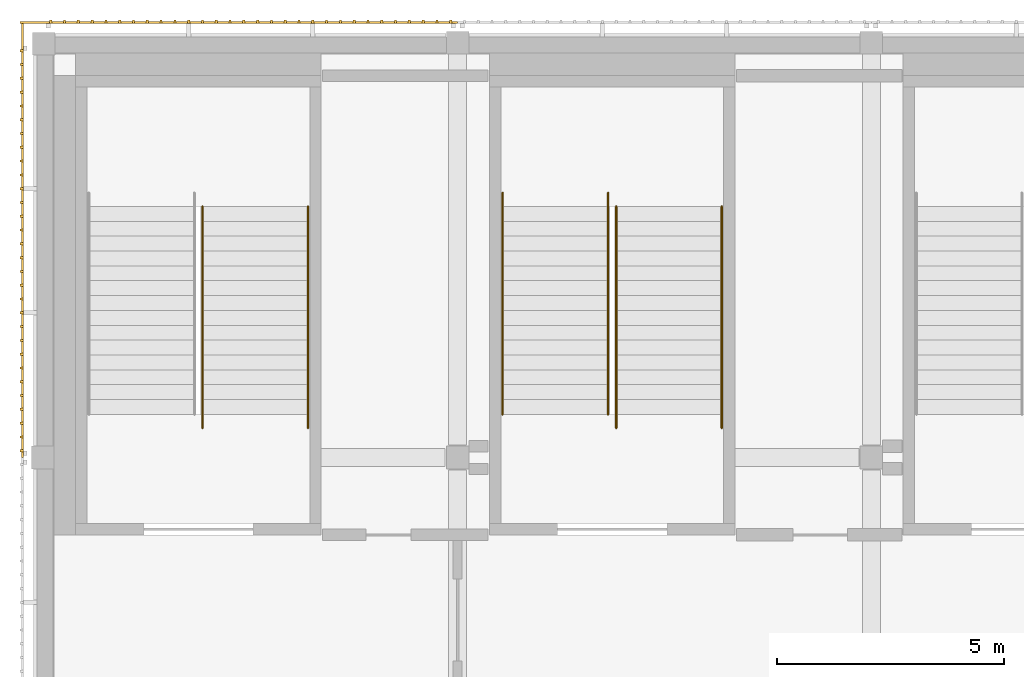
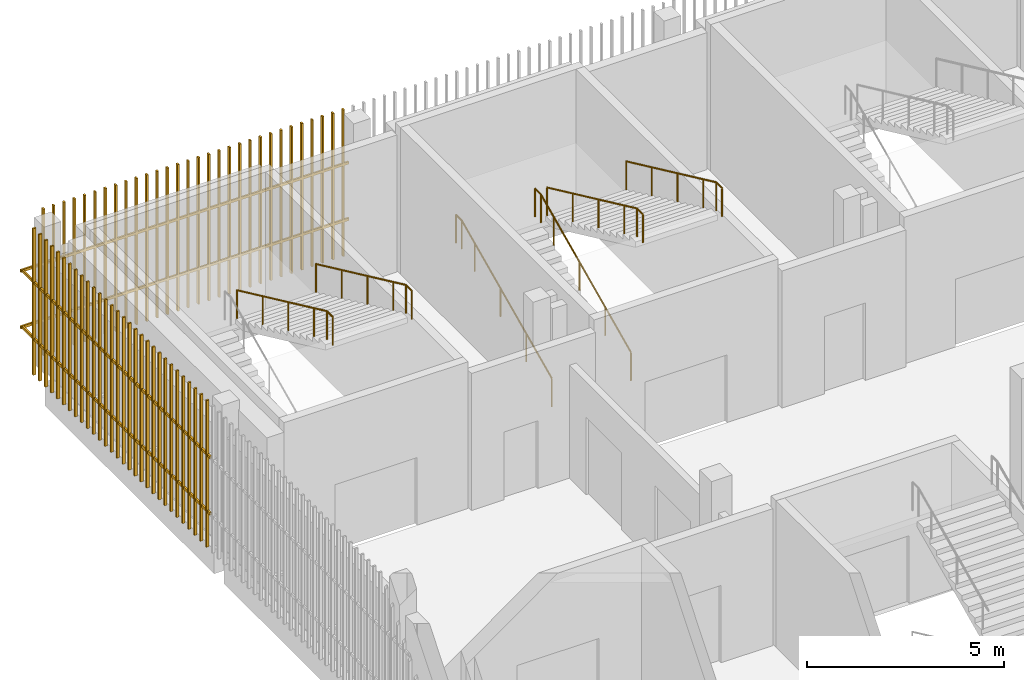
# One storey, part 111 of 124: 6 railings, 2 shading devices.
"""IFC4 building model written with IfcOpenShell, lengths in metres."""

from ifc_helpers import new_model, si_unit, direction, frame, origin, origin_2d, place, context, subcontext, project, spatial, rectangle, circle, extrude, material, type_object, element, save


model = new_model("IFC4")

# Units and contexts
model_context = context("Model", 3, precision=1e-05, world=origin(), true_north=direction((0.0, 1.0)))
body_context = subcontext(model_context, "Body", "Model", "MODEL_VIEW")
ifc_project = project(units=[si_unit("LENGTHUNIT", "METRE"), si_unit("AREAUNIT", "SQUARE_METRE"), si_unit("VOLUMEUNIT", "CUBIC_METRE"), si_unit("PLANEANGLEUNIT", "RADIAN"), si_unit("MASSUNIT", "GRAM", prefix="KILO")], contexts=[model_context])

# Site, building, storey
site_placement = place(None, origin())
site = spatial("IfcSite", under=ifc_project, at=site_placement, CompositionType="ELEMENT")
building_placement = place(site_placement, origin())
building = spatial("IfcBuilding", under=site, at=building_placement, Name="Shirokan Park Arena", CompositionType="ELEMENT")
storey_placement = place(building_placement, frame((0.0, 0.0, 20.02001953125)))
storey = spatial("IfcBuildingStorey", under=building, at=storey_placement, Name="L04", CompositionType="ELEMENT", Elevation=20.02001953125)

# Railings
ifc_material_1 = material(Name="Stainless steel", Category="steel")
railing_type = type_object("IfcRailingType", Name="Stair handrail 900", PredefinedType="HANDRAIL", material=ifc_material_1)
railing_1_placement = place(storey_placement, frame((3.489990234375, 105.623779296875, 2.4267578125)))
element("IfcRailing", 1, at=railing_1_placement, inside=storey, type_object=railing_type, Name="Handrail Exit Stair 4.A L04 to L05", PredefinedType="HANDRAIL", context=body_context, shape_type="SweptSolid", body=[
    extrude(circle(Radius=0.02392578125, at=origin_2d()), frame((0.0, 0.0, 0.8759765625), z_axis=(0.0, -0.907094476872, 0.420927083981), x_axis=(1.0, 0.0, 0.0)), (0.0, 0.0, 1.0), 1.440673828125),
    extrude(circle(Radius=0.02392578125, at=origin_2d()), frame((0.0, -1.306884765625, 1.482421875), z_axis=(0.0, -0.906999720516, 0.421131222998), x_axis=(1.0, 0.0, 0.0)), (0.0, 0.0, 1.0), 1.440673828125),
    extrude(circle(Radius=0.02392578125, at=origin_2d()), frame((0.0, -2.613525390625, 2.0888671875), z_axis=(0.0, -0.907029769225, 0.421066500378), x_axis=(1.0, 0.0, 0.0)), (0.0, 0.0, 1.0), 1.44091796875),
    extrude(circle(Radius=0.02392578125, at=origin_2d()), frame((0.0, -3.92041015625, 2.69580078125), z_axis=(0.0, -0.906934982928, 0.421270621741), x_axis=(1.0, 0.0, 0.0)), (0.0, 0.0, 1.0), 0.720458984375),
    extrude(circle(Radius=0.02392578125, at=origin_2d()), frame((0.0, -4.57373046875, 2.9990234375), z_axis=(0.0, -1.0, 0.0), x_axis=(1.0, 0.0, 0.0)), (0.0, 0.0, 1.0), 0.300048828125),
    extrude(circle(Radius=0.02099609375, at=origin_2d()), origin(), (0.0, 0.0, 1.0), 0.851806640625),
    extrude(circle(Radius=0.02099609375, at=origin_2d()), frame((0.0, -1.306884765625, 0.6064453125)), (0.0, 0.0, 1.0), 0.851806640625),
    extrude(circle(Radius=0.02099609375, at=origin_2d()), frame((0.0, -2.613525390625, 1.213134765625)), (0.0, 0.0, 1.0), 0.851806640625),
    extrude(circle(Radius=0.02099609375, at=origin_2d()), frame((0.0, -3.92041015625, 1.81982421875)), (0.0, 0.0, 1.0), 0.851806640625),
    extrude(circle(Radius=0.02099609375, at=origin_2d()), frame((0.0, -4.57373046875, 2.123291015625)), (0.0, 0.0, 1.0), 0.851806640625),
    extrude(circle(Radius=0.02099609375, at=origin_2d()), frame((0.0, -4.873779296875, 2.123291015625)), (0.0, 0.0, 1.0), 0.851806640625),
])
railing_2_placement = place(storey_placement, frame((5.81005859375, 105.623779296875, 2.4267578125)))
element("IfcRailing", 2, at=railing_2_placement, inside=storey, type_object=railing_type, Name="Handrail Exit Stair 4.A L04 to L05", PredefinedType="HANDRAIL", context=body_context, shape_type="SweptSolid", body=[
    extrude(circle(Radius=0.02392578125, at=origin_2d()), frame((0.0, 0.0, 0.8759765625), z_axis=(0.0, -0.907094476872, 0.420927083981), x_axis=(1.0, 0.0, 0.0)), (0.0, 0.0, 1.0), 1.440673828125),
    extrude(circle(Radius=0.02392578125, at=origin_2d()), frame((0.0, -1.306884765625, 1.482421875), z_axis=(0.0, -0.906999720516, 0.421131222998), x_axis=(1.0, 0.0, 0.0)), (0.0, 0.0, 1.0), 1.440673828125),
    extrude(circle(Radius=0.02392578125, at=origin_2d()), frame((0.0, -2.613525390625, 2.0888671875), z_axis=(0.0, -0.907029769225, 0.421066500378), x_axis=(1.0, 0.0, 0.0)), (0.0, 0.0, 1.0), 1.44091796875),
    extrude(circle(Radius=0.02392578125, at=origin_2d()), frame((0.0, -3.92041015625, 2.69580078125), z_axis=(0.0, -0.906934982928, 0.421270621741), x_axis=(1.0, 0.0, 0.0)), (0.0, 0.0, 1.0), 0.720458984375),
    extrude(circle(Radius=0.02392578125, at=origin_2d()), frame((0.0, -4.57373046875, 2.9990234375), z_axis=(0.0, -1.0, 0.0), x_axis=(1.0, 0.0, 0.0)), (0.0, 0.0, 1.0), 0.300048828125),
    extrude(circle(Radius=0.02099609375, at=origin_2d()), origin(), (0.0, 0.0, 1.0), 0.851806640625),
    extrude(circle(Radius=0.02099609375, at=origin_2d()), frame((0.0, -1.306884765625, 0.6064453125)), (0.0, 0.0, 1.0), 0.851806640625),
    extrude(circle(Radius=0.02099609375, at=origin_2d()), frame((0.0, -2.613525390625, 1.213134765625)), (0.0, 0.0, 1.0), 0.851806640625),
    extrude(circle(Radius=0.02099609375, at=origin_2d()), frame((0.0, -3.92041015625, 1.81982421875)), (0.0, 0.0, 1.0), 0.851806640625),
    extrude(circle(Radius=0.02099609375, at=origin_2d()), frame((0.0, -4.57373046875, 2.123291015625)), (0.0, 0.0, 1.0), 0.851806640625),
    extrude(circle(Radius=0.02099609375, at=origin_2d()), frame((0.0, -4.873779296875, 2.123291015625)), (0.0, 0.0, 1.0), 0.851806640625),
])
railing_3_placement = place(storey_placement, frame((10.090087890625, 101.050048828125, 0.151611328125)))
element("IfcRailing", 3, at=railing_3_placement, inside=storey, type_object=railing_type, Name="Handrail Exit Stair 4.B L04 to L05", PredefinedType="HANDRAIL", context=body_context, shape_type="SweptSolid", body=[
    extrude(circle(Radius=0.02392578125, at=origin_2d()), frame((0.0, 0.0, 0.8759765625), z_axis=(0.0, 0.906999720516, 0.421131222998), x_axis=(-1.0, 0.0, 0.0)), (0.0, 0.0, 1.0), 1.440673828125),
    extrude(circle(Radius=0.02392578125, at=origin_2d()), frame((0.0, 1.306640625, 1.482421875), z_axis=(0.0, 0.907029769225, 0.421066500378), x_axis=(-1.0, 0.0, 0.0)), (0.0, 0.0, 1.0), 1.44091796875),
    extrude(circle(Radius=0.02392578125, at=origin_2d()), frame((0.0, 2.613525390625, 2.08935546875), z_axis=(0.0, 0.907029769225, 0.421066500378), x_axis=(-1.0, 0.0, 0.0)), (0.0, 0.0, 1.0), 1.44091796875),
    extrude(circle(Radius=0.02392578125, at=origin_2d()), frame((0.0, 3.92041015625, 2.69580078125), z_axis=(0.0, 0.907064445915, 0.420991794405), x_axis=(-1.0, 0.0, 0.0)), (0.0, 0.0, 1.0), 0.72021484375),
    extrude(circle(Radius=0.02392578125, at=origin_2d()), frame((0.0, 4.57373046875, 2.9990234375), z_axis=(0.0, 1.0, 0.0), x_axis=(-1.0, 0.0, 0.0)), (0.0, 0.0, 1.0), 0.300048828125),
    extrude(circle(Radius=0.02099609375, at=origin_2d()), origin(), (0.0, 0.0, 1.0), 0.851806640625),
    extrude(circle(Radius=0.02099609375, at=origin_2d()), frame((0.0, 1.306640625, 0.606689453125)), (0.0, 0.0, 1.0), 0.851806640625),
    extrude(circle(Radius=0.02099609375, at=origin_2d()), frame((0.0, 2.613525390625, 1.21337890625)), (0.0, 0.0, 1.0), 0.851806640625),
    extrude(circle(Radius=0.02099609375, at=origin_2d()), frame((0.0, 3.92041015625, 1.820068359375)), (0.0, 0.0, 1.0), 0.851806640625),
    extrude(circle(Radius=0.02099609375, at=origin_2d()), frame((0.0, 4.57373046875, 2.123291015625)), (0.0, 0.0, 1.0), 0.851806640625),
    extrude(circle(Radius=0.02099609375, at=origin_2d()), frame((0.0, 4.873779296875, 2.123291015625)), (0.0, 0.0, 1.0), 0.851806640625),
])
railing_4_placement = place(storey_placement, frame((12.409912109375, 101.050048828125, 0.151611328125)))
element("IfcRailing", 4, at=railing_4_placement, inside=storey, type_object=railing_type, Name="Handrail Exit Stair 4.B L04 to L05", PredefinedType="HANDRAIL", context=body_context, shape_type="SweptSolid", body=[
    extrude(circle(Radius=0.02392578125, at=origin_2d()), frame((0.0, 0.0, 0.8759765625), z_axis=(0.0, 0.906999720516, 0.421131222998), x_axis=(-1.0, 0.0, 0.0)), (0.0, 0.0, 1.0), 1.440673828125),
    extrude(circle(Radius=0.02392578125, at=origin_2d()), frame((0.0, 1.306640625, 1.482421875), z_axis=(0.0, 0.907029769225, 0.421066500378), x_axis=(-1.0, 0.0, 0.0)), (0.0, 0.0, 1.0), 1.44091796875),
    extrude(circle(Radius=0.02392578125, at=origin_2d()), frame((0.0, 2.613525390625, 2.08935546875), z_axis=(0.0, 0.907029769225, 0.421066500378), x_axis=(-1.0, 0.0, 0.0)), (0.0, 0.0, 1.0), 1.44091796875),
    extrude(circle(Radius=0.02392578125, at=origin_2d()), frame((0.0, 3.92041015625, 2.69580078125), z_axis=(0.0, 0.907064445915, 0.420991794405), x_axis=(-1.0, 0.0, 0.0)), (0.0, 0.0, 1.0), 0.72021484375),
    extrude(circle(Radius=0.02392578125, at=origin_2d()), frame((0.0, 4.57373046875, 2.9990234375), z_axis=(0.0, 1.0, 0.0), x_axis=(-1.0, 0.0, 0.0)), (0.0, 0.0, 1.0), 0.300048828125),
    extrude(circle(Radius=0.02099609375, at=origin_2d()), origin(), (0.0, 0.0, 1.0), 0.851806640625),
    extrude(circle(Radius=0.02099609375, at=origin_2d()), frame((0.0, 1.306640625, 0.606689453125)), (0.0, 0.0, 1.0), 0.851806640625),
    extrude(circle(Radius=0.02099609375, at=origin_2d()), frame((0.0, 2.613525390625, 1.21337890625)), (0.0, 0.0, 1.0), 0.851806640625),
    extrude(circle(Radius=0.02099609375, at=origin_2d()), frame((0.0, 3.92041015625, 1.820068359375)), (0.0, 0.0, 1.0), 0.851806640625),
    extrude(circle(Radius=0.02099609375, at=origin_2d()), frame((0.0, 4.57373046875, 2.123291015625)), (0.0, 0.0, 1.0), 0.851806640625),
    extrude(circle(Radius=0.02099609375, at=origin_2d()), frame((0.0, 4.873779296875, 2.123291015625)), (0.0, 0.0, 1.0), 0.851806640625),
])
railing_5_placement = place(storey_placement, frame((12.590087890625, 105.623779296875, 2.4267578125)))
element("IfcRailing", 5, at=railing_5_placement, inside=storey, type_object=railing_type, Name="Handrail Exit Stair 4.B L04 to L05", PredefinedType="HANDRAIL", context=body_context, shape_type="SweptSolid", body=[
    extrude(circle(Radius=0.02392578125, at=origin_2d()), frame((0.0, 0.0, 0.8759765625), z_axis=(0.0, -0.907094476872, 0.420927083981), x_axis=(1.0, 0.0, 0.0)), (0.0, 0.0, 1.0), 1.440673828125),
    extrude(circle(Radius=0.02392578125, at=origin_2d()), frame((0.0, -1.306884765625, 1.482421875), z_axis=(0.0, -0.906999720516, 0.421131222998), x_axis=(1.0, 0.0, 0.0)), (0.0, 0.0, 1.0), 1.440673828125),
    extrude(circle(Radius=0.02392578125, at=origin_2d()), frame((0.0, -2.613525390625, 2.0888671875), z_axis=(0.0, -0.907029769225, 0.421066500378), x_axis=(1.0, 0.0, 0.0)), (0.0, 0.0, 1.0), 1.44091796875),
    extrude(circle(Radius=0.02392578125, at=origin_2d()), frame((0.0, -3.92041015625, 2.69580078125), z_axis=(0.0, -0.906934982928, 0.421270621741), x_axis=(1.0, 0.0, 0.0)), (0.0, 0.0, 1.0), 0.720458984375),
    extrude(circle(Radius=0.02392578125, at=origin_2d()), frame((0.0, -4.57373046875, 2.9990234375), z_axis=(0.0, -1.0, 0.0), x_axis=(1.0, 0.0, 0.0)), (0.0, 0.0, 1.0), 0.300048828125),
    extrude(circle(Radius=0.02099609375, at=origin_2d()), origin(), (0.0, 0.0, 1.0), 0.851806640625),
    extrude(circle(Radius=0.02099609375, at=origin_2d()), frame((0.0, -1.306884765625, 0.6064453125)), (0.0, 0.0, 1.0), 0.851806640625),
    extrude(circle(Radius=0.02099609375, at=origin_2d()), frame((0.0, -2.613525390625, 1.213134765625)), (0.0, 0.0, 1.0), 0.851806640625),
    extrude(circle(Radius=0.02099609375, at=origin_2d()), frame((0.0, -3.92041015625, 1.81982421875)), (0.0, 0.0, 1.0), 0.851806640625),
    extrude(circle(Radius=0.02099609375, at=origin_2d()), frame((0.0, -4.57373046875, 2.123291015625)), (0.0, 0.0, 1.0), 0.851806640625),
    extrude(circle(Radius=0.02099609375, at=origin_2d()), frame((0.0, -4.873779296875, 2.123291015625)), (0.0, 0.0, 1.0), 0.851806640625),
])
railing_6_placement = place(storey_placement, frame((14.909912109375, 105.623779296875, 2.4267578125)))
element("IfcRailing", 6, at=railing_6_placement, inside=storey, type_object=railing_type, Name="Handrail Exit Stair 4.B L04 to L05", PredefinedType="HANDRAIL", context=body_context, shape_type="SweptSolid", body=[
    extrude(circle(Radius=0.02392578125, at=origin_2d()), frame((0.0, 0.0, 0.8759765625), z_axis=(0.0, -0.907094476872, 0.420927083981), x_axis=(1.0, 0.0, 0.0)), (0.0, 0.0, 1.0), 1.440673828125),
    extrude(circle(Radius=0.02392578125, at=origin_2d()), frame((0.0, -1.306884765625, 1.482421875), z_axis=(0.0, -0.906999720516, 0.421131222998), x_axis=(1.0, 0.0, 0.0)), (0.0, 0.0, 1.0), 1.440673828125),
    extrude(circle(Radius=0.02392578125, at=origin_2d()), frame((0.0, -2.613525390625, 2.0888671875), z_axis=(0.0, -0.907029769225, 0.421066500378), x_axis=(1.0, 0.0, 0.0)), (0.0, 0.0, 1.0), 1.44091796875),
    extrude(circle(Radius=0.02392578125, at=origin_2d()), frame((0.0, -3.92041015625, 2.69580078125), z_axis=(0.0, -0.906934982928, 0.421270621741), x_axis=(1.0, 0.0, 0.0)), (0.0, 0.0, 1.0), 0.720458984375),
    extrude(circle(Radius=0.02392578125, at=origin_2d()), frame((0.0, -4.57373046875, 2.9990234375), z_axis=(0.0, -1.0, 0.0), x_axis=(1.0, 0.0, 0.0)), (0.0, 0.0, 1.0), 0.300048828125),
    extrude(circle(Radius=0.02099609375, at=origin_2d()), origin(), (0.0, 0.0, 1.0), 0.851806640625),
    extrude(circle(Radius=0.02099609375, at=origin_2d()), frame((0.0, -1.306884765625, 0.6064453125)), (0.0, 0.0, 1.0), 0.851806640625),
    extrude(circle(Radius=0.02099609375, at=origin_2d()), frame((0.0, -2.613525390625, 1.213134765625)), (0.0, 0.0, 1.0), 0.851806640625),
    extrude(circle(Radius=0.02099609375, at=origin_2d()), frame((0.0, -3.92041015625, 1.81982421875)), (0.0, 0.0, 1.0), 0.851806640625),
    extrude(circle(Radius=0.02099609375, at=origin_2d()), frame((0.0, -4.57373046875, 2.123291015625)), (0.0, 0.0, 1.0), 0.851806640625),
    extrude(circle(Radius=0.02099609375, at=origin_2d()), frame((0.0, -4.873779296875, 2.123291015625)), (0.0, 0.0, 1.0), 0.851806640625),
])

# Shading devices
ifc_material_2 = material(Name="Timber louvre veil (cedar)", Category="wood")
shading_device_type = type_object("IfcShadingDeviceType", Name="Timber louvre veil panel", PredefinedType="JALOUSIE", material=ifc_material_2)
shading_device_1_placement = place(storey_placement, origin())
element("IfcShadingDevice", 7, at=shading_device_1_placement, inside=storey, type_object=shading_device_type, Name="Timber louvre veil north bay 16 L04", PredefinedType="JALOUSIE", context=body_context, shape_type="SweptSolid", body=[
    extrude(rectangle(XDim=0.050048828125, YDim=0.080078125, at=origin_2d()), frame((8.9482421875, 109.68505859375, 0.0), z_axis=(0.0, 0.0, 1.0), x_axis=(-1.0, 0.0, 0.0)), (0.0, 0.0, 1.0), 4.550048828125),
    extrude(rectangle(XDim=0.050048828125, YDim=0.080078125, at=origin_2d()), frame((8.64501953125, 109.68505859375, 0.0), z_axis=(0.0, 0.0, 1.0), x_axis=(-1.0, 0.0, 0.0)), (0.0, 0.0, 1.0), 4.550048828125),
    extrude(rectangle(XDim=0.050048828125, YDim=0.080078125, at=origin_2d()), frame((8.341552734375, 109.68505859375, 0.0), z_axis=(0.0, 0.0, 1.0), x_axis=(-1.0, 0.0, 0.0)), (0.0, 0.0, 1.0), 4.550048828125),
    extrude(rectangle(XDim=0.050048828125, YDim=0.080078125, at=origin_2d()), frame((8.038330078125, 109.68505859375, 0.0), z_axis=(0.0, 0.0, 1.0), x_axis=(-1.0, 0.0, 0.0)), (0.0, 0.0, 1.0), 4.550048828125),
    extrude(rectangle(XDim=0.050048828125, YDim=0.080078125, at=origin_2d()), frame((7.735107421875, 109.68505859375, 0.0), z_axis=(0.0, 0.0, 1.0), x_axis=(-1.0, 0.0, 0.0)), (0.0, 0.0, 1.0), 4.550048828125),
    extrude(rectangle(XDim=0.050048828125, YDim=0.080078125, at=origin_2d()), frame((7.431640625, 109.68505859375, 0.0), z_axis=(0.0, 0.0, 1.0), x_axis=(-1.0, 0.0, 0.0)), (0.0, 0.0, 1.0), 4.550048828125),
    extrude(rectangle(XDim=0.050048828125, YDim=0.080078125, at=origin_2d()), frame((7.12841796875, 109.68505859375, 0.0), z_axis=(0.0, 0.0, 1.0), x_axis=(-1.0, 0.0, 0.0)), (0.0, 0.0, 1.0), 4.550048828125),
    extrude(rectangle(XDim=0.050048828125, YDim=0.080078125, at=origin_2d()), frame((6.824951171875, 109.68505859375, 0.0), z_axis=(0.0, 0.0, 1.0), x_axis=(-1.0, 0.0, 0.0)), (0.0, 0.0, 1.0), 4.550048828125),
    extrude(rectangle(XDim=0.050048828125, YDim=0.080078125, at=origin_2d()), frame((6.521728515625, 109.68505859375, 0.0), z_axis=(0.0, 0.0, 1.0), x_axis=(-1.0, 0.0, 0.0)), (0.0, 0.0, 1.0), 4.550048828125),
    extrude(rectangle(XDim=0.050048828125, YDim=0.080078125, at=origin_2d()), frame((6.21826171875, 109.68505859375, 0.0), z_axis=(0.0, 0.0, 1.0), x_axis=(-1.0, 0.0, 0.0)), (0.0, 0.0, 1.0), 4.550048828125),
    extrude(rectangle(XDim=0.050048828125, YDim=0.080078125, at=origin_2d()), frame((5.9150390625, 109.68505859375, 0.0), z_axis=(0.0, 0.0, 1.0), x_axis=(-1.0, 0.0, 0.0)), (0.0, 0.0, 1.0), 4.550048828125),
    extrude(rectangle(XDim=0.050048828125, YDim=0.080078125, at=origin_2d()), frame((5.611572265625, 109.68505859375, 0.0), z_axis=(0.0, 0.0, 1.0), x_axis=(-1.0, 0.0, 0.0)), (0.0, 0.0, 1.0), 4.550048828125),
    extrude(rectangle(XDim=0.050048828125, YDim=0.080078125, at=origin_2d()), frame((5.308349609375, 109.68505859375, 0.0), z_axis=(0.0, 0.0, 1.0), x_axis=(-1.0, 0.0, 0.0)), (0.0, 0.0, 1.0), 4.550048828125),
    extrude(rectangle(XDim=0.050048828125, YDim=0.080078125, at=origin_2d()), frame((5.0048828125, 109.68505859375, 0.0), z_axis=(0.0, 0.0, 1.0), x_axis=(-1.0, 0.0, 0.0)), (0.0, 0.0, 1.0), 4.550048828125),
    extrude(rectangle(XDim=0.050048828125, YDim=0.080078125, at=origin_2d()), frame((4.70166015625, 109.68505859375, 0.0), z_axis=(0.0, 0.0, 1.0), x_axis=(-1.0, 0.0, 0.0)), (0.0, 0.0, 1.0), 4.550048828125),
    extrude(rectangle(XDim=0.050048828125, YDim=0.080078125, at=origin_2d()), frame((4.3984375, 109.68505859375, 0.0), z_axis=(0.0, 0.0, 1.0), x_axis=(-1.0, 0.0, 0.0)), (0.0, 0.0, 1.0), 4.550048828125),
    extrude(rectangle(XDim=0.050048828125, YDim=0.080078125, at=origin_2d()), frame((4.094970703125, 109.68505859375, 0.0), z_axis=(0.0, 0.0, 1.0), x_axis=(-1.0, 0.0, 0.0)), (0.0, 0.0, 1.0), 4.550048828125),
    extrude(rectangle(XDim=0.050048828125, YDim=0.080078125, at=origin_2d()), frame((3.791748046875, 109.68505859375, 0.0), z_axis=(0.0, 0.0, 1.0), x_axis=(-1.0, 0.0, 0.0)), (0.0, 0.0, 1.0), 4.550048828125),
    extrude(rectangle(XDim=0.050048828125, YDim=0.080078125, at=origin_2d()), frame((3.48828125, 109.68505859375, 0.0), z_axis=(0.0, 0.0, 1.0), x_axis=(-1.0, 0.0, 0.0)), (0.0, 0.0, 1.0), 4.550048828125),
    extrude(rectangle(XDim=0.050048828125, YDim=0.080078125, at=origin_2d()), frame((3.18505859375, 109.68505859375, 0.0), z_axis=(0.0, 0.0, 1.0), x_axis=(-1.0, 0.0, 0.0)), (0.0, 0.0, 1.0), 4.550048828125),
    extrude(rectangle(XDim=0.050048828125, YDim=0.080078125, at=origin_2d()), frame((2.881591796875, 109.68505859375, 0.0), z_axis=(0.0, 0.0, 1.0), x_axis=(-1.0, 0.0, 0.0)), (0.0, 0.0, 1.0), 4.550048828125),
    extrude(rectangle(XDim=0.050048828125, YDim=0.080078125, at=origin_2d()), frame((2.578369140625, 109.68505859375, 0.0), z_axis=(0.0, 0.0, 1.0), x_axis=(-1.0, 0.0, 0.0)), (0.0, 0.0, 1.0), 4.550048828125),
    extrude(rectangle(XDim=0.050048828125, YDim=0.080078125, at=origin_2d()), frame((2.27490234375, 109.68505859375, 0.0), z_axis=(0.0, 0.0, 1.0), x_axis=(-1.0, 0.0, 0.0)), (0.0, 0.0, 1.0), 4.550048828125),
    extrude(rectangle(XDim=0.050048828125, YDim=0.080078125, at=origin_2d()), frame((1.9716796875, 109.68505859375, 0.0), z_axis=(0.0, 0.0, 1.0), x_axis=(-1.0, 0.0, 0.0)), (0.0, 0.0, 1.0), 4.550048828125),
    extrude(rectangle(XDim=0.050048828125, YDim=0.080078125, at=origin_2d()), frame((1.668212890625, 109.68505859375, 0.0), z_axis=(0.0, 0.0, 1.0), x_axis=(-1.0, 0.0, 0.0)), (0.0, 0.0, 1.0), 4.550048828125),
    extrude(rectangle(XDim=0.050048828125, YDim=0.080078125, at=origin_2d()), frame((1.364990234375, 109.68505859375, 0.0), z_axis=(0.0, 0.0, 1.0), x_axis=(-1.0, 0.0, 0.0)), (0.0, 0.0, 1.0), 4.550048828125),
    extrude(rectangle(XDim=0.050048828125, YDim=0.080078125, at=origin_2d()), frame((1.061767578125, 109.68505859375, 0.0), z_axis=(0.0, 0.0, 1.0), x_axis=(-1.0, 0.0, 0.0)), (0.0, 0.0, 1.0), 4.550048828125),
    extrude(rectangle(XDim=0.050048828125, YDim=0.080078125, at=origin_2d()), frame((0.75830078125, 109.68505859375, 0.0), z_axis=(0.0, 0.0, 1.0), x_axis=(-1.0, 0.0, 0.0)), (0.0, 0.0, 1.0), 4.550048828125),
    extrude(rectangle(XDim=0.050048828125, YDim=0.080078125, at=origin_2d()), frame((0.455078125, 109.68505859375, 0.0), z_axis=(0.0, 0.0, 1.0), x_axis=(-1.0, 0.0, 0.0)), (0.0, 0.0, 1.0), 4.550048828125),
    extrude(rectangle(XDim=0.050048828125, YDim=0.080078125, at=origin_2d()), frame((0.151611328125, 109.68505859375, 0.0), z_axis=(0.0, 0.0, 1.0), x_axis=(-1.0, 0.0, 0.0)), (0.0, 0.0, 1.0), 4.550048828125),
    extrude(rectangle(XDim=9.625, YDim=0.050048828125, at=origin_2d()), frame((4.28759765625, 109.669921875, 1.06005859375), z_axis=(0.0, 0.0, 1.0), x_axis=(-1.0, 0.0, 0.0)), (0.0, 0.0, 1.0), 0.080078125),
    extrude(rectangle(XDim=9.625, YDim=0.050048828125, at=origin_2d()), frame((4.28759765625, 109.669921875, 2.81005859375), z_axis=(0.0, 0.0, 1.0), x_axis=(-1.0, 0.0, 0.0)), (0.0, 0.0, 1.0), 0.080078125),
])
shading_device_2_placement = place(storey_placement, origin())
element("IfcShadingDevice", 8, at=shading_device_2_placement, inside=storey, type_object=shading_device_type, Name="Timber louvre veil west bay 1 L04", PredefinedType="JALOUSIE", context=body_context, shape_type="SweptSolid", body=[
    extrude(rectangle(XDim=0.050048828125, YDim=0.080078125, at=origin_2d()), frame((-0.485107421875, 109.04833984375, 0.0), z_axis=(0.0, 0.0, 1.0), x_axis=(0.0, -1.0, 0.0)), (0.0, 0.0, 1.0), 4.550048828125),
    extrude(rectangle(XDim=0.050048828125, YDim=0.080078125, at=origin_2d()), frame((-0.485107421875, 108.7451171875, 0.0), z_axis=(0.0, 0.0, 1.0), x_axis=(0.0, -1.0, 0.0)), (0.0, 0.0, 1.0), 4.550048828125),
    extrude(rectangle(XDim=0.050048828125, YDim=0.080078125, at=origin_2d()), frame((-0.485107421875, 108.441650390625, 0.0), z_axis=(0.0, 0.0, 1.0), x_axis=(0.0, -1.0, 0.0)), (0.0, 0.0, 1.0), 4.550048828125),
    extrude(rectangle(XDim=0.050048828125, YDim=0.080078125, at=origin_2d()), frame((-0.485107421875, 108.138427734375, 0.0), z_axis=(0.0, 0.0, 1.0), x_axis=(0.0, -1.0, 0.0)), (0.0, 0.0, 1.0), 4.550048828125),
    extrude(rectangle(XDim=0.050048828125, YDim=0.080078125, at=origin_2d()), frame((-0.485107421875, 107.8349609375, 0.0), z_axis=(0.0, 0.0, 1.0), x_axis=(0.0, -1.0, 0.0)), (0.0, 0.0, 1.0), 4.550048828125),
    extrude(rectangle(XDim=0.050048828125, YDim=0.080078125, at=origin_2d()), frame((-0.485107421875, 107.53173828125, 0.0), z_axis=(0.0, 0.0, 1.0), x_axis=(0.0, -1.0, 0.0)), (0.0, 0.0, 1.0), 4.550048828125),
    extrude(rectangle(XDim=0.050048828125, YDim=0.080078125, at=origin_2d()), frame((-0.485107421875, 107.228271484375, 0.0), z_axis=(0.0, 0.0, 1.0), x_axis=(0.0, -1.0, 0.0)), (0.0, 0.0, 1.0), 4.550048828125),
    extrude(rectangle(XDim=0.050048828125, YDim=0.080078125, at=origin_2d()), frame((-0.485107421875, 106.925048828125, 0.0), z_axis=(0.0, 0.0, 1.0), x_axis=(0.0, -1.0, 0.0)), (0.0, 0.0, 1.0), 4.550048828125),
    extrude(rectangle(XDim=0.050048828125, YDim=0.080078125, at=origin_2d()), frame((-0.485107421875, 106.62158203125, 0.0), z_axis=(0.0, 0.0, 1.0), x_axis=(0.0, -1.0, 0.0)), (0.0, 0.0, 1.0), 4.550048828125),
    extrude(rectangle(XDim=0.050048828125, YDim=0.080078125, at=origin_2d()), frame((-0.485107421875, 106.318359375, 0.0), z_axis=(0.0, 0.0, 1.0), x_axis=(0.0, -1.0, 0.0)), (0.0, 0.0, 1.0), 4.550048828125),
    extrude(rectangle(XDim=0.050048828125, YDim=0.080078125, at=origin_2d()), frame((-0.485107421875, 106.014892578125, 0.0), z_axis=(0.0, 0.0, 1.0), x_axis=(0.0, -1.0, 0.0)), (0.0, 0.0, 1.0), 4.550048828125),
    extrude(rectangle(XDim=0.050048828125, YDim=0.080078125, at=origin_2d()), frame((-0.485107421875, 105.711669921875, 0.0), z_axis=(0.0, 0.0, 1.0), x_axis=(0.0, -1.0, 0.0)), (0.0, 0.0, 1.0), 4.550048828125),
    extrude(rectangle(XDim=0.050048828125, YDim=0.080078125, at=origin_2d()), frame((-0.485107421875, 105.408447265625, 0.0), z_axis=(0.0, 0.0, 1.0), x_axis=(0.0, -1.0, 0.0)), (0.0, 0.0, 1.0), 4.550048828125),
    extrude(rectangle(XDim=0.050048828125, YDim=0.080078125, at=origin_2d()), frame((-0.485107421875, 105.10498046875, 0.0), z_axis=(0.0, 0.0, 1.0), x_axis=(0.0, -1.0, 0.0)), (0.0, 0.0, 1.0), 4.550048828125),
    extrude(rectangle(XDim=0.050048828125, YDim=0.080078125, at=origin_2d()), frame((-0.485107421875, 104.8017578125, 0.0), z_axis=(0.0, 0.0, 1.0), x_axis=(0.0, -1.0, 0.0)), (0.0, 0.0, 1.0), 4.550048828125),
    extrude(rectangle(XDim=0.050048828125, YDim=0.080078125, at=origin_2d()), frame((-0.485107421875, 104.498291015625, 0.0), z_axis=(0.0, 0.0, 1.0), x_axis=(0.0, -1.0, 0.0)), (0.0, 0.0, 1.0), 4.550048828125),
    extrude(rectangle(XDim=0.050048828125, YDim=0.080078125, at=origin_2d()), frame((-0.485107421875, 104.195068359375, 0.0), z_axis=(0.0, 0.0, 1.0), x_axis=(0.0, -1.0, 0.0)), (0.0, 0.0, 1.0), 4.550048828125),
    extrude(rectangle(XDim=0.050048828125, YDim=0.080078125, at=origin_2d()), frame((-0.485107421875, 103.8916015625, 0.0), z_axis=(0.0, 0.0, 1.0), x_axis=(0.0, -1.0, 0.0)), (0.0, 0.0, 1.0), 4.550048828125),
    extrude(rectangle(XDim=0.050048828125, YDim=0.080078125, at=origin_2d()), frame((-0.485107421875, 103.58837890625, 0.0), z_axis=(0.0, 0.0, 1.0), x_axis=(0.0, -1.0, 0.0)), (0.0, 0.0, 1.0), 4.550048828125),
    extrude(rectangle(XDim=0.050048828125, YDim=0.080078125, at=origin_2d()), frame((-0.485107421875, 103.284912109375, 0.0), z_axis=(0.0, 0.0, 1.0), x_axis=(0.0, -1.0, 0.0)), (0.0, 0.0, 1.0), 4.550048828125),
    extrude(rectangle(XDim=0.050048828125, YDim=0.080078125, at=origin_2d()), frame((-0.485107421875, 102.981689453125, 0.0), z_axis=(0.0, 0.0, 1.0), x_axis=(0.0, -1.0, 0.0)), (0.0, 0.0, 1.0), 4.550048828125),
    extrude(rectangle(XDim=0.050048828125, YDim=0.080078125, at=origin_2d()), frame((-0.485107421875, 102.67822265625, 0.0), z_axis=(0.0, 0.0, 1.0), x_axis=(0.0, -1.0, 0.0)), (0.0, 0.0, 1.0), 4.550048828125),
    extrude(rectangle(XDim=0.050048828125, YDim=0.080078125, at=origin_2d()), frame((-0.485107421875, 102.375, 0.0), z_axis=(0.0, 0.0, 1.0), x_axis=(0.0, -1.0, 0.0)), (0.0, 0.0, 1.0), 4.550048828125),
    extrude(rectangle(XDim=0.050048828125, YDim=0.080078125, at=origin_2d()), frame((-0.485107421875, 102.07177734375, 0.0), z_axis=(0.0, 0.0, 1.0), x_axis=(0.0, -1.0, 0.0)), (0.0, 0.0, 1.0), 4.550048828125),
    extrude(rectangle(XDim=0.050048828125, YDim=0.080078125, at=origin_2d()), frame((-0.485107421875, 101.768310546875, 0.0), z_axis=(0.0, 0.0, 1.0), x_axis=(0.0, -1.0, 0.0)), (0.0, 0.0, 1.0), 4.550048828125),
    extrude(rectangle(XDim=0.050048828125, YDim=0.080078125, at=origin_2d()), frame((-0.485107421875, 101.465087890625, 0.0), z_axis=(0.0, 0.0, 1.0), x_axis=(0.0, -1.0, 0.0)), (0.0, 0.0, 1.0), 4.550048828125),
    extrude(rectangle(XDim=0.050048828125, YDim=0.080078125, at=origin_2d()), frame((-0.485107421875, 101.16162109375, 0.0), z_axis=(0.0, 0.0, 1.0), x_axis=(0.0, -1.0, 0.0)), (0.0, 0.0, 1.0), 4.550048828125),
    extrude(rectangle(XDim=0.050048828125, YDim=0.080078125, at=origin_2d()), frame((-0.485107421875, 100.8583984375, 0.0), z_axis=(0.0, 0.0, 1.0), x_axis=(0.0, -1.0, 0.0)), (0.0, 0.0, 1.0), 4.550048828125),
    extrude(rectangle(XDim=0.050048828125, YDim=0.080078125, at=origin_2d()), frame((-0.485107421875, 100.554931640625, 0.0), z_axis=(0.0, 0.0, 1.0), x_axis=(0.0, -1.0, 0.0)), (0.0, 0.0, 1.0), 4.550048828125),
    extrude(rectangle(XDim=0.050048828125, YDim=0.080078125, at=origin_2d()), frame((-0.485107421875, 100.251708984375, 0.0), z_axis=(0.0, 0.0, 1.0), x_axis=(0.0, -1.0, 0.0)), (0.0, 0.0, 1.0), 4.550048828125),
    extrude(rectangle(XDim=9.544921875, YDim=0.050048828125, at=origin_2d()), frame((-0.469970703125, 104.87255859375, 1.06005859375), z_axis=(0.0, 0.0, 1.0), x_axis=(0.0, -1.0, 0.0)), (0.0, 0.0, 1.0), 0.080078125),
    extrude(rectangle(XDim=9.544921875, YDim=0.050048828125, at=origin_2d()), frame((-0.469970703125, 104.87255859375, 2.81005859375), z_axis=(0.0, 0.0, 1.0), x_axis=(0.0, -1.0, 0.0)), (0.0, 0.0, 1.0), 0.080078125),
])

save(model, "model.ifc")
